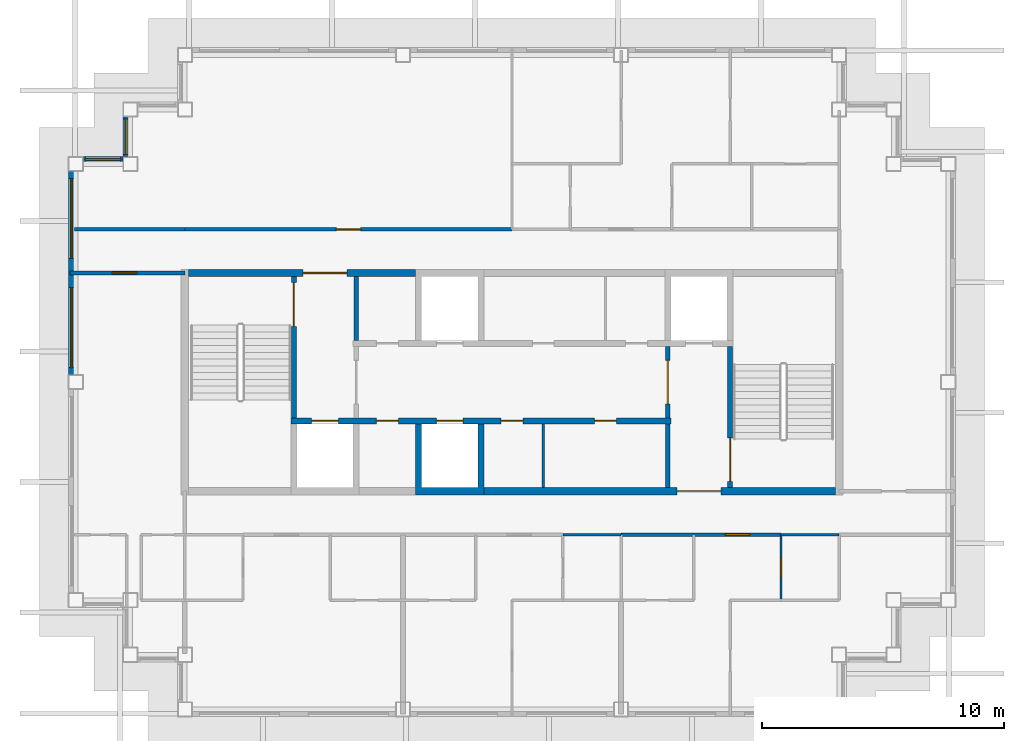
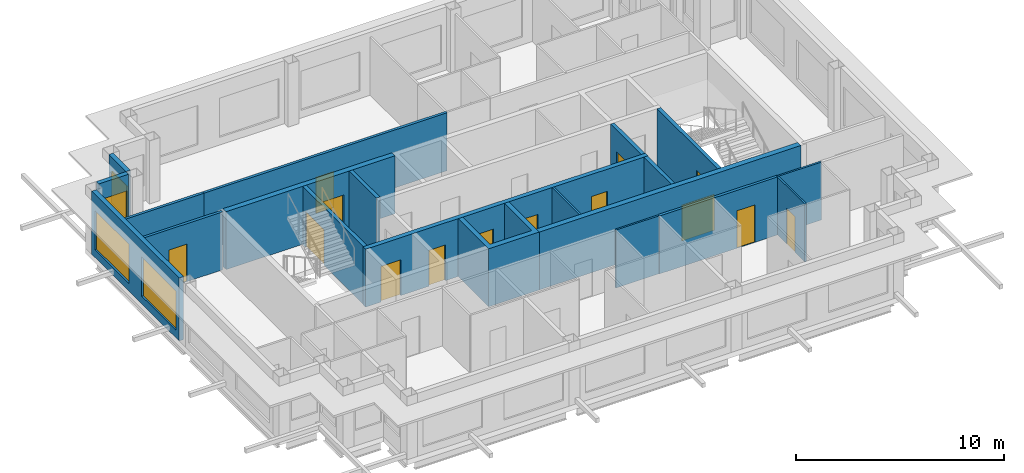
# One storey, part 3 of 10: 20 walls, 14 doors, 4 windows, 18 openings.
"""IFC4 building model written with IfcOpenShell, lengths in metres."""

from ifc_helpers import new_model, si_unit, direction, frame, frame_2d, origin, place, context, subcontext, project, spatial, polyline, rectangle, outline, extrude, material, layer, layer_set, type_object, element, fill, save


model = new_model("IFC4")

# Units and contexts
model_context = context("Model", 3, precision=1e-05, world=origin(), true_north=direction((0.0, 1.0)))
body_context = subcontext(model_context, "Body", "Model", "MODEL_VIEW")
ifc_project = project(units=[si_unit("LENGTHUNIT", "METRE"), si_unit("AREAUNIT", "SQUARE_METRE"), si_unit("VOLUMEUNIT", "CUBIC_METRE"), si_unit("PLANEANGLEUNIT", "RADIAN"), si_unit("MASSUNIT", "GRAM", prefix="KILO")], contexts=[model_context])

# Site, building, storey
site_placement = place(None, origin())
site = spatial("IfcSite", under=ifc_project, at=site_placement, CompositionType="ELEMENT")
building_placement = place(site_placement, origin())
building = spatial("IfcBuilding", under=site, at=building_placement, Name="Caravel Reach Hotel and Residences", CompositionType="ELEMENT")
storey_placement = place(building_placement, frame((0.0, 0.0, 290.800048828125)))
storey = spatial("IfcBuildingStorey", under=building, at=storey_placement, Name="L74", CompositionType="ELEMENT", Elevation=290.800048828125)

# Walls
ifc_material_1 = material(Name="Gypsum board on steel stud", Category="steel")
ifc_layer_1 = layer(ifc_material_1, 0.10009765625)
ifc_layer_set_1 = layer_set([ifc_layer_1], Name="Bathroom pod wall 100 mm")
wall_type_1 = type_object("IfcWallType", Name="Bathroom pod wall 100 mm", PredefinedType="PARTITIONING", material=ifc_layer_set_1)
for number, where, z_axis, x_axis, name in (
    (1, (33.60009765625, 20.699951171875, 0.0), (0.0, 0.0, 1.0), (1.0, 0.0, 0.0), "L74 wall w049"),
    (2, (42.60009765625, 20.699951171875, 0.0), (0.0, 0.0, 1.0), (1.0, 0.0, 0.0), "L74 wall w050"),
):
    element("IfcWall", number, at=place(storey_placement, frame(where, z_axis=z_axis, x_axis=x_axis)), inside=storey, type_object=wall_type_1, Name=name, PredefinedType="PARTITIONING", context=body_context, shape_type="SweptSolid", body=[
        extrude(rectangle(XDim=2.39990234375, YDim=0.10009765625, at=frame_2d((1.199951171875, 0.0))), origin(), (0.0, 0.0, 1.0), 3.39990234375),
    ])

# Wall, opening, door
wall_1_placement = place(storey_placement, frame((42.60009765625, 18.0, 0.0), z_axis=(0.0, 0.0, 1.0), x_axis=(0.0, 1.0, 0.0)))
wall_1 = element("IfcWall", 3, at=wall_1_placement, inside=storey, type_object=wall_type_1, Name="L74 wall w061", PredefinedType="PARTITIONING", context=body_context, shape_type="SweptSolid", body=[
    extrude(rectangle(XDim=2.699951171875, YDim=0.10009765625, at=frame_2d((1.35009765625, 0.0))), origin(), (0.0, 0.0, 1.0), 3.39990234375),
])
opening_1_placement = place(wall_1_placement, frame((0.949951171875, 0.0, 0.0)))
opening_1 = element("IfcOpeningElement", 4, at=opening_1_placement, cuts=wall_1, Name="Opening D74-033", PredefinedType="OPENING", context=body_context, shape_type="SweptSolid", body=[
    extrude(rectangle(XDim=0.800048828125, YDim=2.10009765625, at=frame_2d((0.39990234375, 1.050048828125))), frame((0.0, 0.06005859375, 0.0), z_axis=(0.0, -1.0, 0.0), x_axis=(1.0, 0.0, 0.0)), (0.0, 0.0, 1.0), 0.1201171875),
])
ifc_material_2 = material(Name="Timber and steel door leaf", Category="steel")
door_type_1 = type_object("IfcDoorType", Name="Bathroom door 800 x 2100", OperationType="SINGLE_SWING_LEFT", PredefinedType="DOOR", material=ifc_material_2)
door_1_placement = place(opening_1_placement, origin())
door_1 = element("IfcDoor", 5, at=door_1_placement, inside=storey, type_object=door_type_1, Name="door D74-033", OperationType="SINGLE_SWING_RIGHT", OverallHeight=2.10009765625, OverallWidth=0.800048828125, PredefinedType="DOOR", context=body_context, shape_type="SweptSolid", body=[
    extrude(rectangle(XDim=0.800048828125, YDim=2.10009765625, at=frame_2d((0.39990234375, 1.050048828125))), frame((0.0, 0.02490234375, 0.0), z_axis=(0.0, -1.0, 0.0), x_axis=(1.0, 0.0, 0.0)), (0.0, 0.0, 1.0), 0.050048828125),
])
fill(opening_1, door_1)

# Walls
ifc_material_3 = material(Name="Autoclaved aerated block wall")
ifc_layer_2 = layer(ifc_material_3, 0.199951171875)
ifc_layer_set_2 = layer_set([ifc_layer_2], Name="Compartment wall 200 mm EI 120")
wall_type_2 = type_object("IfcWallType", Name="Compartment wall 200 mm EI 120", PredefinedType="PARTITIONING", material=ifc_layer_set_2)
for number, where, z_axis, x_axis, name in (
    (6, (37.928466796875, 22.64990234375, 0.0), (0.0, 0.0, 1.0), (0.0, 1.0, 0.0), "L74 store partition"),
    (7, (25.071533203125, 28.72509765625, 0.0), (0.0, 0.0, 1.0), (0.0, 1.0, 0.0), "L74 store partition"),
):
    element("IfcWall", number, at=place(storey_placement, frame(where, z_axis=z_axis, x_axis=x_axis)), inside=storey, type_object=wall_type_2, Name=name, PredefinedType="PARTITIONING", context=body_context, shape_type="SweptSolid", body=[
        extrude(rectangle(XDim=2.625, YDim=0.199951171875, at=frame_2d((1.3125, 0.0))), origin(), (0.0, 0.0, 1.0), 3.39990234375),
    ])

# Wall, opening, door
ifc_material_4 = material(Name="Concrete C60", Category="concrete")
ifc_layer_3 = layer(ifc_material_4, 0.300048828125)
ifc_layer_set_3 = layer_set([ifc_layer_3], Name="Core wall 300 mm EI 120")
wall_type_3 = type_object("IfcWallType", Name="Core wall 300 mm EI 120", PredefinedType="SHEAR", material=ifc_layer_set_3)
wall_2_placement = place(storey_placement, frame((30.33935546875, 22.5, 0.0), z_axis=(0.0, 0.0, 1.0), x_axis=(1.0, 0.0, 0.0)))
wall_2 = element("IfcWall", 8, at=wall_2_placement, inside=storey, type_object=wall_type_3, Name="L74 core wall S3", PredefinedType="SHEAR", context=body_context, shape_type="SweptSolid", body=[
    extrude(rectangle(XDim=14.5107421875, YDim=0.300048828125, at=frame_2d((7.25537109375, 0.0))), origin(), (0.0, 0.0, 1.0), 3.39990234375),
])
opening_2_placement = place(wall_2_placement, frame((7.97509765625, 0.0, 0.0)))
opening_2 = element("IfcOpeningElement", 9, at=opening_2_placement, cuts=wall_2, Name="Opening D74-016", PredefinedType="OPENING", context=body_context, shape_type="SweptSolid", body=[
    extrude(rectangle(XDim=1.800048828125, YDim=2.10009765625, at=frame_2d((0.89990234375, 1.050048828125))), frame((0.0, 0.159912109375, 0.0), z_axis=(0.0, -1.0, 0.0), x_axis=(1.0, 0.0, 0.0)), (0.0, 0.0, 1.0), 0.320068359375),
])
ifc_material_5 = material(Name="Steel fire door leaf", Category="steel")
door_type_2 = type_object("IfcDoorType", Name="Fire lobby door pair 1800 x 2100 EI 90", OperationType="DOUBLE_DOOR_SINGLE_SWING", PredefinedType="DOOR", material=ifc_material_5)
door_2_placement = place(opening_2_placement, origin())
door_2 = element("IfcDoor", 10, at=door_2_placement, inside=storey, type_object=door_type_2, Name="lobby S door pair to corridor", OperationType="DOUBLE_DOOR_SINGLE_SWING", OverallHeight=2.10009765625, OverallWidth=1.800048828125, PredefinedType="DOOR", context=body_context, shape_type="SweptSolid", body=[
    extrude(rectangle(XDim=1.800048828125, YDim=2.10009765625, at=frame_2d((0.89990234375, 1.050048828125))), frame((0.0, 0.02490234375, 0.0), z_axis=(0.0, -1.0, 0.0), x_axis=(1.0, 0.0, 0.0)), (0.0, 0.0, 1.0), 0.050048828125),
])
fill(opening_2, door_2)

wall_3_placement = place(storey_placement, frame((18.14990234375, 31.5, 0.0), z_axis=(0.0, 0.0, 1.0), x_axis=(1.0, 0.0, 0.0)))
wall_3 = element("IfcWall", 11, at=wall_3_placement, inside=storey, type_object=wall_type_3, Name="L74 core wall N1", PredefinedType="SHEAR", context=body_context, shape_type="SweptSolid", body=[
    extrude(rectangle(XDim=9.367919921875, YDim=0.300048828125, at=frame_2d((4.68408203125, 0.0))), origin(), (0.0, 0.0, 1.0), 3.39990234375),
])
opening_3_placement = place(wall_3_placement, frame((4.735595703125, 0.0, 0.0)))
opening_3 = element("IfcOpeningElement", 12, at=opening_3_placement, cuts=wall_3, Name="Opening D74-015", PredefinedType="OPENING", context=body_context, shape_type="SweptSolid", body=[
    extrude(rectangle(XDim=1.800048828125, YDim=2.10009765625, at=frame_2d((0.89990234375, 1.050048828125))), frame((0.0, 0.159912109375, 0.0), z_axis=(0.0, -1.0, 0.0), x_axis=(1.0, 0.0, 0.0)), (0.0, 0.0, 1.0), 0.320068359375),
])
door_3_placement = place(opening_3_placement, origin())
door_3 = element("IfcDoor", 13, at=door_3_placement, inside=storey, type_object=door_type_2, Name="lobby N door pair to corridor", OperationType="DOUBLE_DOOR_SINGLE_SWING", OverallHeight=2.10009765625, OverallWidth=1.800048828125, PredefinedType="DOOR", context=body_context, shape_type="SweptSolid", body=[
    extrude(rectangle(XDim=1.800048828125, YDim=2.10009765625, at=frame_2d((0.89990234375, 1.050048828125))), frame((0.0, 0.02490234375, 0.0), z_axis=(0.0, -1.0, 0.0), x_axis=(1.0, 0.0, 0.0)), (0.0, 0.0, 1.0), 0.050048828125),
])
fill(opening_3, door_3)

ifc_material_6 = material(Name="Gypsum board on steel stud, fire-rated", Category="steel")
ifc_layer_4 = layer(ifc_material_6, 0.14990234375)
ifc_layer_set_4 = layer_set([ifc_layer_4], Name="Corridor wall 150 mm EI 60")
wall_type_4 = type_object("IfcWallType", Name="Corridor wall 150 mm EI 60", PredefinedType="PARTITIONING", material=ifc_layer_set_4)
wall_4_placement = place(storey_placement, frame((36.0, 20.699951171875, 0.0), z_axis=(0.0, 0.0, 1.0), x_axis=(1.0, 0.0, 0.0)))
wall_4 = element("IfcWall", 14, at=wall_4_placement, inside=storey, type_object=wall_type_4, Name="L74 wall w007", PredefinedType="PARTITIONING", context=body_context, shape_type="SweptSolid", body=[
    extrude(rectangle(XDim=6.60009765625, YDim=0.14990234375, at=frame_2d((3.300048828125, 0.0))), origin(), (0.0, 0.0, 1.0), 3.39990234375),
])
opening_4_placement = place(wall_4_placement, frame((4.300048828125, 0.0, 0.0)))
opening_4 = element("IfcOpeningElement", 15, at=opening_4_placement, cuts=wall_4, Name="Opening D74-031", PredefinedType="OPENING", context=body_context, shape_type="SweptSolid", body=[
    extrude(rectangle(XDim=1.0, YDim=2.199951171875, at=frame_2d((0.5, 1.10009765625))), frame((0.0, 0.0849609375, 0.0), z_axis=(0.0, -1.0, 0.0), x_axis=(1.0, 0.0, 0.0)), (0.0, 0.0, 1.0), 0.169921875),
])
ifc_material_7 = material(Name="Steel fire door leaf", Category="steel")
door_type_3 = type_object("IfcDoorType", Name="Flat entrance door 1000 x 2200 EI 60", OperationType="SINGLE_SWING_LEFT", PredefinedType="DOOR", material=ifc_material_7)
door_4_placement = place(opening_4_placement, origin())
door_4 = element("IfcDoor", 16, at=door_4_placement, inside=storey, type_object=door_type_3, Name="door D74-031", OperationType="SINGLE_SWING_RIGHT", OverallHeight=2.199951171875, OverallWidth=1.0, PredefinedType="DOOR", context=body_context, shape_type="SweptSolid", body=[
    extrude(rectangle(XDim=1.0, YDim=2.199951171875, at=frame_2d((0.5, 1.10009765625))), frame((0.0, 0.02490234375, 0.0), z_axis=(0.0, -1.0, 0.0), x_axis=(1.0, 0.0, 0.0)), (0.0, 0.0, 1.0), 0.050048828125),
])
fill(opening_4, door_4)

wall_5_placement = place(storey_placement, frame((13.260009765625, 31.5, 0.0), z_axis=(0.0, 0.0, 1.0), x_axis=(1.0, 0.0, 0.0)))
wall_5 = element("IfcWall", 17, at=wall_5_placement, inside=storey, type_object=wall_type_4, Name="L74 wall w009", PredefinedType="PARTITIONING", context=body_context, shape_type="SweptSolid", body=[
    extrude(rectangle(XDim=4.739990234375, YDim=0.14990234375, at=frame_2d((2.3701171875, 0.0))), origin(), (0.0, 0.0, 1.0), 3.39990234375),
])
opening_5_placement = place(wall_5_placement, frame((1.75, 0.0, 0.0)))
opening_5 = element("IfcOpeningElement", 18, at=opening_5_placement, cuts=wall_5, Name="Opening D74-035", PredefinedType="OPENING", context=body_context, shape_type="SweptSolid", body=[
    extrude(rectangle(XDim=1.0, YDim=2.199951171875, at=frame_2d((0.5, 1.10009765625))), frame((0.0, 0.0849609375, 0.0), z_axis=(0.0, -1.0, 0.0), x_axis=(1.0, 0.0, 0.0)), (0.0, 0.0, 1.0), 0.169921875),
])
door_5_placement = place(opening_5_placement, origin())
door_5 = element("IfcDoor", 19, at=door_5_placement, inside=storey, type_object=door_type_3, Name="door D74-035", OperationType="SINGLE_SWING_RIGHT", OverallHeight=2.199951171875, OverallWidth=1.0, PredefinedType="DOOR", context=body_context, shape_type="SweptSolid", body=[
    extrude(rectangle(XDim=1.0, YDim=2.199951171875, at=frame_2d((0.5, 1.10009765625))), frame((0.0, 0.02490234375, 0.0), z_axis=(0.0, -1.0, 0.0), x_axis=(1.0, 0.0, 0.0)), (0.0, 0.0, 1.0), 0.050048828125),
])
fill(opening_5, door_5)

# Wall
wall_6_placement = place(storey_placement, frame((13.449951171875, 33.300048828125, 0.0), z_axis=(0.0, 0.0, 1.0), x_axis=(1.0, 0.0, 0.0)))
element("IfcWall", 20, at=wall_6_placement, inside=storey, type_object=wall_type_4, Name="L74 wall w010", PredefinedType="PARTITIONING", context=body_context, shape_type="SweptSolid", body=[
    extrude(rectangle(XDim=4.549072265625, YDim=0.14990234375, at=frame_2d((2.2744140625, 0.0))), origin(), (0.0, 0.0, 1.0), 3.39990234375),
])

# Wall, opening, door
wall_7_placement = place(storey_placement, frame((18.0, 33.300048828125, 0.0), z_axis=(0.0, 0.0, 1.0), x_axis=(1.0, 0.0, 0.0)))
wall_7 = element("IfcWall", 21, at=wall_7_placement, inside=storey, type_object=wall_type_4, Name="L74 wall w011", PredefinedType="PARTITIONING", context=body_context, shape_type="SweptSolid", body=[
    extrude(rectangle(XDim=13.5, YDim=0.14990234375, at=frame_2d((6.75, 0.0))), origin(), (0.0, 0.0, 1.0), 3.39990234375),
])
opening_6_placement = place(wall_7_placement, frame((6.25, 0.0, 0.0)))
opening_6 = element("IfcOpeningElement", 22, at=opening_6_placement, cuts=wall_7, Name="Opening D74-017", PredefinedType="OPENING", context=body_context, shape_type="SweptSolid", body=[
    extrude(rectangle(XDim=1.0, YDim=2.10009765625, at=frame_2d((0.5, 1.050048828125))), frame((0.0, 0.0849609375, 0.0), z_axis=(0.0, -1.0, 0.0), x_axis=(1.0, 0.0, 0.0)), (0.0, 0.0, 1.0), 0.169921875),
])
ifc_material_8 = material(Name="Steel fire door leaf", Category="steel")
door_type_4 = type_object("IfcDoorType", Name="Fire door 1000 x 2100 EI 60", OperationType="SINGLE_SWING_LEFT", PredefinedType="DOOR", material=ifc_material_8)
door_6_placement = place(opening_6_placement, origin())
door_6 = element("IfcDoor", 23, at=door_6_placement, inside=storey, type_object=door_type_4, Name="door D74-017", OperationType="SINGLE_SWING_LEFT", OverallHeight=2.10009765625, OverallWidth=1.0, PredefinedType="DOOR", context=body_context, shape_type="SweptSolid", body=[
    extrude(rectangle(XDim=1.0, YDim=2.10009765625, at=frame_2d((0.5, 1.050048828125))), frame((0.0, 0.02490234375, 0.0), z_axis=(0.0, -1.0, 0.0), x_axis=(1.0, 0.0, 0.0)), (0.0, 0.0, 1.0), 0.050048828125),
])
fill(opening_6, door_6)

# Wall, opening, window
ifc_material_9 = material(Name="Insulated rainscreen wall, aluminium cladding", Category="aluminium")
ifc_layer_5 = layer(ifc_material_9, 0.25)
ifc_layer_set_5 = layer_set([ifc_layer_5], Name="EW1 Tower rainscreen wall")
wall_type_5 = type_object("IfcWallType", Name="EW1 Tower rainscreen wall", PredefinedType="SOLIDWALL", material=ifc_layer_set_5)
wall_8_placement = place(storey_placement, frame((15.574951171875, 37.949951171875, 0.0), z_axis=(0.0, 0.0, 1.0), x_axis=(0.0, -1.0, 0.0)))
wall_8 = element("IfcWall", 24, at=wall_8_placement, inside=storey, type_object=wall_type_5, Name="External wall L74 W13.1", PredefinedType="SOLIDWALL", context=body_context, shape_type="SweptSolid", body=[
    extrude(rectangle(XDim=1.64990234375, YDim=0.25, at=frame_2d((0.824951171875, 0.0))), origin(), (0.0, 0.0, 1.0), 3.699951171875),
])
opening_7_placement = place(wall_8_placement, frame((0.10009765625, 0.0, 0.89990234375)))
opening_7 = element("IfcOpeningElement", 25, at=opening_7_placement, cuts=wall_8, Name="Opening WN25", PredefinedType="OPENING", context=body_context, shape_type="SweptSolid", body=[
    extrude(rectangle(XDim=1.449951171875, YDim=1.85009765625, at=frame_2d((0.72509765625, 0.925048828125))), frame((0.0, 0.135009765625, 0.0), z_axis=(0.0, -1.0, 0.0), x_axis=(1.0, 0.0, 0.0)), (0.0, 0.0, 1.0), 0.27001953125),
])
ifc_material_10 = material(Name="Dark low-e glazing in black aluminium frame", Category="aluminium")
window_type_1 = type_object("IfcWindowType", Name="Residence bedroom window 1450 x 1850", PartitioningType="SINGLE_PANEL", PredefinedType="WINDOW", material=ifc_material_10)
window_1_placement = place(opening_7_placement, origin())
window_1 = element("IfcWindow", 26, at=window_1_placement, inside=storey, type_object=window_type_1, Name="Window L74 W13.1.1", OverallHeight=1.85009765625, OverallWidth=1.449951171875, PartitioningType="SINGLE_PANEL", PredefinedType="WINDOW", context=body_context, shape_type="SweptSolid", body=[
    extrude(rectangle(XDim=1.449951171875, YDim=1.85009765625, at=frame_2d((0.72509765625, 0.925048828125))), frame((0.0, 0.030029296875, 0.0), z_axis=(0.0, -1.0, 0.0), x_axis=(1.0, 0.0, 0.0)), (0.0, 0.0, 1.0), 0.06005859375),
])
fill(opening_7, window_1)

wall_9_placement = place(storey_placement, frame((15.449951171875, 36.175048828125, 0.0), z_axis=(0.0, 0.0, 1.0), x_axis=(-1.0, 0.0, 0.0)))
wall_9 = element("IfcWall", 27, at=wall_9_placement, inside=storey, type_object=wall_type_5, Name="External wall L74 N14.1", PredefinedType="SOLIDWALL", context=body_context, shape_type="SweptSolid", body=[
    extrude(rectangle(XDim=1.64990234375, YDim=0.25, at=frame_2d((0.824951171875, 0.0))), origin(), (0.0, 0.0, 1.0), 3.699951171875),
])
opening_8_placement = place(wall_9_placement, frame((0.10009765625, 0.0, 0.89990234375)))
opening_8 = element("IfcOpeningElement", 28, at=opening_8_placement, cuts=wall_9, Name="Opening WN25", PredefinedType="OPENING", context=body_context, shape_type="SweptSolid", body=[
    extrude(rectangle(XDim=1.449951171875, YDim=1.85009765625, at=frame_2d((0.72509765625, 0.925048828125))), frame((0.0, 0.135009765625, 0.0), z_axis=(0.0, -1.0, 0.0), x_axis=(1.0, 0.0, 0.0)), (0.0, 0.0, 1.0), 0.27001953125),
])
window_2_placement = place(opening_8_placement, origin())
window_2 = element("IfcWindow", 29, at=window_2_placement, inside=storey, type_object=window_type_1, Name="Window L74 N14.1.1", OverallHeight=1.85009765625, OverallWidth=1.449951171875, PartitioningType="SINGLE_PANEL", PredefinedType="WINDOW", context=body_context, shape_type="SweptSolid", body=[
    extrude(rectangle(XDim=1.449951171875, YDim=1.85009765625, at=frame_2d((0.72509765625, 0.925048828125))), frame((0.0, 0.030029296875, 0.0), z_axis=(0.0, -1.0, 0.0), x_axis=(1.0, 0.0, 0.0)), (0.0, 0.0, 1.0), 0.06005859375),
])
fill(opening_8, window_2)

# Wall, openings, windows
wall_10_placement = place(storey_placement, frame((13.324951171875, 35.699951171875, 0.0), z_axis=(0.0, 0.0, 1.0), x_axis=(0.0, -1.0, 0.0)))
wall_10 = element("IfcWall", 30, at=wall_10_placement, inside=storey, type_object=wall_type_5, Name="External wall L74 W15.1", PredefinedType="SOLIDWALL", context=body_context, shape_type="SweptSolid", body=[
    extrude(rectangle(XDim=8.39990234375, YDim=0.25, at=frame_2d((4.199951171875, 0.0))), origin(), (0.0, 0.0, 1.0), 3.699951171875),
])
opening_9_placement = place(wall_10_placement, frame((0.300048828125, 0.0, 0.449951171875)))
opening_9 = element("IfcOpeningElement", 31, at=opening_9_placement, cuts=wall_10, Name="Opening WN15", PredefinedType="OPENING", context=body_context, shape_type="SweptSolid", body=[
    extrude(rectangle(XDim=3.300048828125, YDim=2.300048828125, at=frame_2d((1.64990234375, 1.14990234375))), frame((0.0, 0.135009765625, 0.0), z_axis=(0.0, -1.0, 0.0), x_axis=(1.0, 0.0, 0.0)), (0.0, 0.0, 1.0), 0.27001953125),
])
opening_10_placement = place(wall_10_placement, frame((4.800048828125, 0.0, 0.449951171875)))
opening_10 = element("IfcOpeningElement", 32, at=opening_10_placement, cuts=wall_10, Name="Opening WN15", PredefinedType="OPENING", context=body_context, shape_type="SweptSolid", body=[
    extrude(rectangle(XDim=3.300048828125, YDim=2.300048828125, at=frame_2d((1.64990234375, 1.14990234375))), frame((0.0, 0.135009765625, 0.0), z_axis=(0.0, -1.0, 0.0), x_axis=(1.0, 0.0, 0.0)), (0.0, 0.0, 1.0), 0.27001953125),
])
ifc_material_11 = material(Name="Dark low-e glazing in black aluminium frame", Category="aluminium")
window_type_2 = type_object("IfcWindowType", Name="Residence living window 3300 x 2300", PartitioningType="SINGLE_PANEL", PredefinedType="WINDOW", material=ifc_material_11)
window_3_placement = place(opening_9_placement, origin())
window_3 = element("IfcWindow", 33, at=window_3_placement, inside=storey, type_object=window_type_2, Name="Window L74 W15.1.1", OverallHeight=2.300048828125, OverallWidth=3.300048828125, PartitioningType="SINGLE_PANEL", PredefinedType="WINDOW", context=body_context, shape_type="SweptSolid", body=[
    extrude(rectangle(XDim=3.300048828125, YDim=2.300048828125, at=frame_2d((1.64990234375, 1.14990234375))), frame((0.0, 0.030029296875, 0.0), z_axis=(0.0, -1.0, 0.0), x_axis=(1.0, 0.0, 0.0)), (0.0, 0.0, 1.0), 0.06005859375),
])
fill(opening_9, window_3)
window_4_placement = place(opening_10_placement, origin())
window_4 = element("IfcWindow", 34, at=window_4_placement, inside=storey, type_object=window_type_2, Name="Window L74 W15.1.2", OverallHeight=2.300048828125, OverallWidth=3.300048828125, PartitioningType="SINGLE_PANEL", PredefinedType="WINDOW", context=body_context, shape_type="SweptSolid", body=[
    extrude(rectangle(XDim=3.300048828125, YDim=2.300048828125, at=frame_2d((1.64990234375, 1.14990234375))), frame((0.0, 0.030029296875, 0.0), z_axis=(0.0, -1.0, 0.0), x_axis=(1.0, 0.0, 0.0)), (0.0, 0.0, 1.0), 0.06005859375),
])
fill(opening_10, window_4)

# Wall, opening, door
ifc_material_12 = material(Name="Autoclaved aerated block wall")
ifc_layer_6 = layer(ifc_material_12, 0.199951171875)
ifc_layer_set_6 = layer_set([ifc_layer_6], Name="Fire lobby wall 200 mm EI 120")
wall_type_6 = type_object("IfcWallType", Name="Fire lobby wall 200 mm EI 120", PredefinedType="PARTITIONING", material=ifc_layer_set_6)
wall_11_placement = place(storey_placement, frame((37.928466796875, 25.52490234375, 0.0), z_axis=(0.0, 0.0, 1.0), x_axis=(0.0, 1.0, 0.0)))
wall_11 = element("IfcWall", 35, at=wall_11_placement, inside=storey, type_object=wall_type_6, Name="L74 lobby E wall", PredefinedType="PARTITIONING", context=body_context, shape_type="SweptSolid", body=[
    extrude(rectangle(XDim=2.9501953125, YDim=0.199951171875, at=frame_2d((1.47509765625, 0.0))), origin(), (0.0, 0.0, 1.0), 3.39990234375),
])
opening_11_placement = place(wall_11_placement, frame((0.574951171875, 0.0, 0.0)))
opening_11 = element("IfcOpeningElement", 36, at=opening_11_placement, cuts=wall_11, Name="Opening D74-014", PredefinedType="OPENING", context=body_context, shape_type="SweptSolid", body=[
    extrude(rectangle(XDim=1.800048828125, YDim=2.10009765625, at=frame_2d((0.89990234375, 1.050048828125))), frame((0.0, 0.10986328125, 0.0), z_axis=(0.0, -1.0, 0.0), x_axis=(1.0, 0.0, 0.0)), (0.0, 0.0, 1.0), 0.219970703125),
])
door_7_placement = place(opening_11_placement, origin())
door_7 = element("IfcDoor", 37, at=door_7_placement, inside=storey, type_object=door_type_2, Name="lobby E door pair", OperationType="DOUBLE_DOOR_SINGLE_SWING", OverallHeight=2.10009765625, OverallWidth=1.800048828125, PredefinedType="DOOR", context=body_context, shape_type="SweptSolid", body=[
    extrude(rectangle(XDim=1.800048828125, YDim=2.10009765625, at=frame_2d((0.89990234375, 1.050048828125))), frame((0.0, 0.02490234375, 0.0), z_axis=(0.0, -1.0, 0.0), x_axis=(1.0, 0.0, 0.0)), (0.0, 0.0, 1.0), 0.050048828125),
])
fill(opening_11, door_7)

# Walls
ifc_material_13 = material(Name="Gypsum board on steel stud", Category="steel")
ifc_layer_7 = layer(ifc_material_13, 0.10009765625)
ifc_layer_set_7 = layer_set([ifc_layer_7], Name="Partition 100 mm")
wall_type_7 = type_object("IfcWallType", Name="Partition 100 mm", PredefinedType="PARTITIONING", material=ifc_layer_set_7)
wall_12_placement = place(storey_placement, frame((32.78564453125, 22.64990234375, 0.0), z_axis=(0.0, 0.0, 1.0), x_axis=(0.0, 1.0, 0.0)))
element("IfcWall", 38, at=wall_12_placement, inside=storey, type_object=wall_type_7, Name="L74 store partition", PredefinedType="PARTITIONING", context=body_context, shape_type="SweptSolid", body=[
    extrude(rectangle(XDim=2.625, YDim=0.10009765625, at=frame_2d((1.3125, 0.0))), origin(), (0.0, 0.0, 1.0), 3.39990234375),
])
ifc_material_14 = material(Name="Concrete C60", Category="concrete")
ifc_layer_8 = layer(ifc_material_14, 0.25)
ifc_layer_set_8 = layer_set([ifc_layer_8], Name="Shaft wall 250 mm EI 120")
wall_type_8 = type_object("IfcWallType", Name="Shaft wall 250 mm EI 120", PredefinedType="SHEAR", material=ifc_layer_set_8)
wall_13_placement = place(storey_placement, origin())
element("IfcWall", 39, at=wall_13_placement, inside=storey, type_object=wall_type_8, Name="L74 lift shaft wall S2", PredefinedType="SHEAR", context=body_context, shape_type="SweptSolid", body=[
    extrude(outline(polyline([(27.517822265625, 22.35009765625), (30.33935546875, 22.35009765625), (30.33935546875, 25.27490234375), (30.08935546875, 25.27490234375), (30.08935546875, 22.64990234375), (27.767822265625, 22.64990234375), (27.767822265625, 25.27490234375), (27.517822265625, 25.27490234375), (27.517822265625, 22.35009765625)])), origin(), (0.0, 0.0, 1.0), 3.39990234375),
])

# Wall, openings, doors
wall_14_placement = place(storey_placement, frame((22.375, 25.39990234375, 0.0), z_axis=(0.0, 0.0, 1.0), x_axis=(1.0, 0.0, 0.0)))
wall_14 = element("IfcWall", 40, at=wall_14_placement, inside=storey, type_object=wall_type_8, Name="L74 lobby wall S1", PredefinedType="SHEAR", context=body_context, shape_type="SweptSolid", body=[
    extrude(rectangle(XDim=15.678466796875, YDim=0.25, at=frame_2d((7.83935546875, 0.0))), origin(), (0.0, 0.0, 1.0), 3.39990234375),
])
opening_12_placement = place(wall_14_placement, frame((6.003662109375, 0.0, 0.0)))
opening_12 = element("IfcOpeningElement", 41, at=opening_12_placement, cuts=wall_14, Name="Opening D74-001", PredefinedType="OPENING", context=body_context, shape_type="SweptSolid", body=[
    extrude(rectangle(XDim=1.10009765625, YDim=2.10009765625, at=frame_2d((0.550048828125, 1.050048828125))), frame((0.0, 0.135009765625, 0.0), z_axis=(0.0, -1.0, 0.0), x_axis=(1.0, 0.0, 0.0)), (0.0, 0.0, 1.0), 0.27001953125),
])
opening_13_placement = place(wall_14_placement, frame((0.860595703125, 0.0, 0.0)))
opening_13 = element("IfcOpeningElement", 42, at=opening_13_placement, cuts=wall_14, Name="Opening D74-003", PredefinedType="OPENING", context=body_context, shape_type="SweptSolid", body=[
    extrude(rectangle(XDim=1.10009765625, YDim=2.10009765625, at=frame_2d((0.550048828125, 1.050048828125))), frame((0.0, 0.135009765625, 0.0), z_axis=(0.0, -1.0, 0.0), x_axis=(1.0, 0.0, 0.0)), (0.0, 0.0, 1.0), 0.27001953125),
])
opening_14_placement = place(wall_14_placement, frame((3.531982421875, 0.0, 0.0)))
opening_14 = element("IfcOpeningElement", 43, at=opening_14_placement, cuts=wall_14, Name="Opening D74-005", PredefinedType="OPENING", context=body_context, shape_type="SweptSolid", body=[
    extrude(rectangle(XDim=0.89990234375, YDim=2.10009765625, at=frame_2d((0.449951171875, 1.050048828125))), frame((0.0, 0.135009765625, 0.0), z_axis=(0.0, -1.0, 0.0), x_axis=(1.0, 0.0, 0.0)), (0.0, 0.0, 1.0), 0.27001953125),
])
opening_15_placement = place(wall_14_placement, frame((8.675048828125, 0.0, 0.0)))
opening_15 = element("IfcOpeningElement", 44, at=opening_15_placement, cuts=wall_14, Name="Opening D74-006", PredefinedType="OPENING", context=body_context, shape_type="SweptSolid", body=[
    extrude(rectangle(XDim=0.89990234375, YDim=2.10009765625, at=frame_2d((0.449951171875, 1.050048828125))), frame((0.0, 0.135009765625, 0.0), z_axis=(0.0, -1.0, 0.0), x_axis=(1.0, 0.0, 0.0)), (0.0, 0.0, 1.0), 0.27001953125),
])
opening_16_placement = place(wall_14_placement, frame((12.531982421875, 0.0, 0.0)))
opening_16 = element("IfcOpeningElement", 45, at=opening_16_placement, cuts=wall_14, Name="Opening D74-007", PredefinedType="OPENING", context=body_context, shape_type="SweptSolid", body=[
    extrude(rectangle(XDim=0.89990234375, YDim=2.10009765625, at=frame_2d((0.449951171875, 1.050048828125))), frame((0.0, 0.135009765625, 0.0), z_axis=(0.0, -1.0, 0.0), x_axis=(1.0, 0.0, 0.0)), (0.0, 0.0, 1.0), 0.27001953125),
])
ifc_material_15 = material(Name="Stainless steel landing door", Category="steel")
door_type_5 = type_object("IfcDoorType", Name="Landing door LD 1100 x 2100 sliding", OperationType="DOUBLE_DOOR_SLIDING", PredefinedType="DOOR", material=ifc_material_15)
door_8_placement = place(opening_12_placement, origin())
door_8 = element("IfcDoor", 46, at=door_8_placement, inside=storey, type_object=door_type_5, Name="HP1 landing door", OperationType="DOUBLE_DOOR_SLIDING", OverallHeight=2.10009765625, OverallWidth=1.10009765625, PredefinedType="DOOR", context=body_context, shape_type="SweptSolid", body=[
    extrude(rectangle(XDim=1.10009765625, YDim=2.10009765625, at=frame_2d((0.550048828125, 1.050048828125))), frame((0.0, 0.02490234375, 0.0), z_axis=(0.0, -1.0, 0.0), x_axis=(1.0, 0.0, 0.0)), (0.0, 0.0, 1.0), 0.050048828125),
])
fill(opening_12, door_8)
door_9_placement = place(opening_13_placement, origin())
door_9 = element("IfcDoor", 47, at=door_9_placement, inside=storey, type_object=door_type_5, Name="FL1 landing door", OperationType="DOUBLE_DOOR_SLIDING", OverallHeight=2.10009765625, OverallWidth=1.10009765625, PredefinedType="DOOR", context=body_context, shape_type="SweptSolid", body=[
    extrude(rectangle(XDim=1.10009765625, YDim=2.10009765625, at=frame_2d((0.550048828125, 1.050048828125))), frame((0.0, 0.02490234375, 0.0), z_axis=(0.0, -1.0, 0.0), x_axis=(1.0, 0.0, 0.0)), (0.0, 0.0, 1.0), 0.050048828125),
])
fill(opening_13, door_9)
ifc_material_16 = material(Name="Steel fire door leaf", Category="steel")
door_type_6 = type_object("IfcDoorType", Name="Riser door 900 x 2100 EI 60", OperationType="SINGLE_SWING_LEFT", PredefinedType="DOOR", material=ifc_material_16)
door_10_placement = place(opening_14_placement, origin())
door_10 = element("IfcDoor", 48, at=door_10_placement, inside=storey, type_object=door_type_6, Name="Linen store door", OperationType="SINGLE_SWING_LEFT", OverallHeight=2.10009765625, OverallWidth=0.89990234375, PredefinedType="DOOR", context=body_context, shape_type="SweptSolid", body=[
    extrude(rectangle(XDim=0.89990234375, YDim=2.10009765625, at=frame_2d((0.449951171875, 1.050048828125))), frame((0.0, 0.02490234375, 0.0), z_axis=(0.0, -1.0, 0.0), x_axis=(1.0, 0.0, 0.0)), (0.0, 0.0, 1.0), 0.050048828125),
])
fill(opening_14, door_10)
door_11_placement = place(opening_15_placement, origin())
door_11 = element("IfcDoor", 49, at=door_11_placement, inside=storey, type_object=door_type_6, Name="Cleaners' room door", OperationType="SINGLE_SWING_LEFT", OverallHeight=2.10009765625, OverallWidth=0.89990234375, PredefinedType="DOOR", context=body_context, shape_type="SweptSolid", body=[
    extrude(rectangle(XDim=0.89990234375, YDim=2.10009765625, at=frame_2d((0.449951171875, 1.050048828125))), frame((0.0, 0.02490234375, 0.0), z_axis=(0.0, -1.0, 0.0), x_axis=(1.0, 0.0, 0.0)), (0.0, 0.0, 1.0), 0.050048828125),
])
fill(opening_15, door_11)
door_12_placement = place(opening_16_placement, origin())
door_12 = element("IfcDoor", 50, at=door_12_placement, inside=storey, type_object=door_type_6, Name="Electrical riser room door", OperationType="SINGLE_SWING_LEFT", OverallHeight=2.10009765625, OverallWidth=0.89990234375, PredefinedType="DOOR", context=body_context, shape_type="SweptSolid", body=[
    extrude(rectangle(XDim=0.89990234375, YDim=2.10009765625, at=frame_2d((0.449951171875, 1.050048828125))), frame((0.0, 0.02490234375, 0.0), z_axis=(0.0, -1.0, 0.0), x_axis=(1.0, 0.0, 0.0)), (0.0, 0.0, 1.0), 0.050048828125),
])
fill(opening_16, door_12)

# Wall, opening, door
ifc_material_17 = material(Name="Concrete C60", Category="concrete")
ifc_layer_9 = layer(ifc_material_17, 0.199951171875)
ifc_layer_set_9 = layer_set([ifc_layer_9], Name="Stair enclosure wall 200 mm EI 120")
wall_type_9 = type_object("IfcWallType", Name="Stair enclosure wall 200 mm EI 120", PredefinedType="SHEAR", material=ifc_layer_set_9)
wall_15_placement = place(storey_placement, frame((22.5, 31.35009765625, 0.0), z_axis=(0.0, 0.0, 1.0), x_axis=(0.0, -1.0, 0.0)))
wall_15 = element("IfcWall", 51, at=wall_15_placement, inside=storey, type_object=wall_type_9, Name="L74 stair A wall", PredefinedType="SHEAR", context=body_context, shape_type="SweptSolid", body=[
    extrude(rectangle(XDim=5.8251953125, YDim=0.199951171875, at=frame_2d((2.91259765625, 0.0))), origin(), (0.0, 0.0, 1.0), 3.39990234375),
])
opening_17_placement = place(wall_15_placement, frame((0.25, 0.0, 0.0)))
opening_17 = element("IfcOpeningElement", 52, at=opening_17_placement, cuts=wall_15, Name="Opening D74-011", PredefinedType="OPENING", context=body_context, shape_type="SweptSolid", body=[
    extrude(rectangle(XDim=1.800048828125, YDim=2.10009765625, at=frame_2d((0.89990234375, 1.050048828125))), frame((0.0, 0.10986328125, 0.0), z_axis=(0.0, -1.0, 0.0), x_axis=(1.0, 0.0, 0.0)), (0.0, 0.0, 1.0), 0.219970703125),
])
ifc_material_18 = material(Name="Steel fire door leaf", Category="steel")
door_type_7 = type_object("IfcDoorType", Name="Stair door pair 1800 x 2100 EI 90", OperationType="DOUBLE_DOOR_SINGLE_SWING", PredefinedType="DOOR", material=ifc_material_18)
door_13_placement = place(opening_17_placement, origin())
door_13 = element("IfcDoor", 53, at=door_13_placement, inside=storey, type_object=door_type_7, Name="stair A door pair", OperationType="DOUBLE_DOOR_SINGLE_SWING", OverallHeight=2.10009765625, OverallWidth=1.800048828125, PredefinedType="DOOR", context=body_context, shape_type="SweptSolid", body=[
    extrude(rectangle(XDim=1.800048828125, YDim=2.10009765625, at=frame_2d((0.89990234375, 1.050048828125))), frame((0.0, 0.02490234375, 0.0), z_axis=(0.0, -1.0, 0.0), x_axis=(1.0, 0.0, 0.0)), (0.0, 0.0, 1.0), 0.050048828125),
])
fill(opening_17, door_13)

wall_16_placement = place(storey_placement, frame((40.5, 22.64990234375, 0.0), z_axis=(0.0, 0.0, 1.0), x_axis=(0.0, 1.0, 0.0)))
wall_16 = element("IfcWall", 54, at=wall_16_placement, inside=storey, type_object=wall_type_9, Name="L74 stair B wall", PredefinedType="SHEAR", context=body_context, shape_type="SweptSolid", body=[
    extrude(rectangle(XDim=5.8251953125, YDim=0.199951171875, at=frame_2d((2.91259765625, 0.0))), origin(), (0.0, 0.0, 1.0), 3.39990234375),
])
opening_18_placement = place(wall_16_placement, frame((0.25, 0.0, 0.0)))
opening_18 = element("IfcOpeningElement", 55, at=opening_18_placement, cuts=wall_16, Name="Opening D74-012", PredefinedType="OPENING", context=body_context, shape_type="SweptSolid", body=[
    extrude(rectangle(XDim=1.800048828125, YDim=2.10009765625, at=frame_2d((0.89990234375, 1.050048828125))), frame((0.0, 0.10986328125, 0.0), z_axis=(0.0, -1.0, 0.0), x_axis=(1.0, 0.0, 0.0)), (0.0, 0.0, 1.0), 0.219970703125),
])
door_14_placement = place(opening_18_placement, origin())
door_14 = element("IfcDoor", 56, at=door_14_placement, inside=storey, type_object=door_type_7, Name="stair B door pair", OperationType="DOUBLE_DOOR_SINGLE_SWING", OverallHeight=2.10009765625, OverallWidth=1.800048828125, PredefinedType="DOOR", context=body_context, shape_type="SweptSolid", body=[
    extrude(rectangle(XDim=1.800048828125, YDim=2.10009765625, at=frame_2d((0.89990234375, 1.050048828125))), frame((0.0, 0.02490234375, 0.0), z_axis=(0.0, -1.0, 0.0), x_axis=(1.0, 0.0, 0.0)), (0.0, 0.0, 1.0), 0.050048828125),
])
fill(opening_18, door_14)

save(model, "model.ifc")
